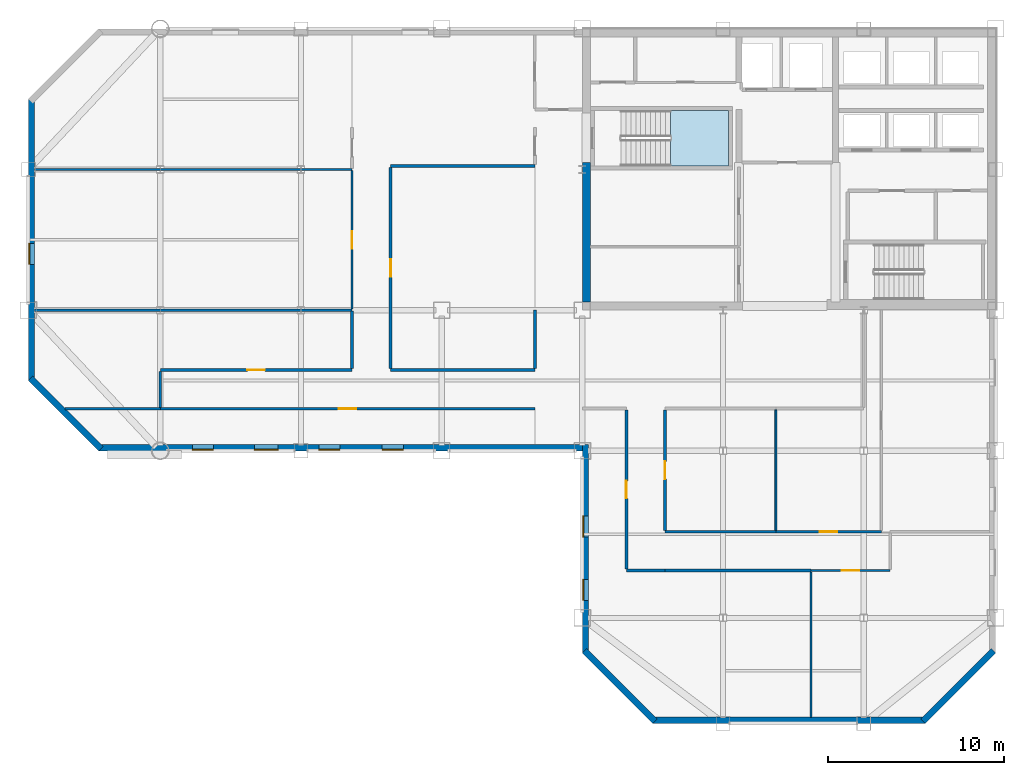
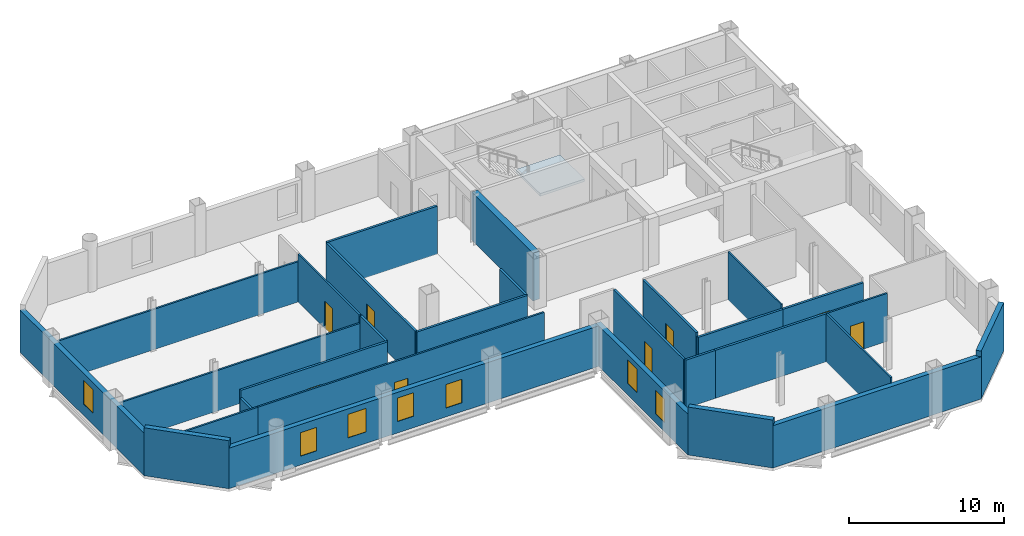
# One storey, part 4 of 10: 29 walls, 8 doors, 7 windows, 1 slab, 15 openings, 1 element without a shape of its own.
"""IFC4 building model written with IfcOpenShell, lengths in metres."""

from ifc_helpers import new_model, si_unit, direction, frame, frame_2d, origin, place, context, subcontext, project, spatial, polyline, rectangle, outline, extrude, material, layer, layer_set, type_object, element, fill, aggregate, save


model = new_model("IFC4")

# Units and contexts
model_context = context("Model", 3, precision=1e-05, world=origin(), true_north=direction((0.0, 1.0)))
body_context = subcontext(model_context, "Body", "Model", "MODEL_VIEW")
ifc_project = project(units=[si_unit("LENGTHUNIT", "METRE"), si_unit("AREAUNIT", "SQUARE_METRE"), si_unit("VOLUMEUNIT", "CUBIC_METRE"), si_unit("PLANEANGLEUNIT", "RADIAN"), si_unit("MASSUNIT", "GRAM", prefix="KILO")], contexts=[model_context])

# Site, building, storey
site_placement = place(None, origin())
site = spatial("IfcSite", under=ifc_project, at=site_placement, CompositionType="ELEMENT")
building_placement = place(site_placement, origin())
building = spatial("IfcBuilding", under=site, at=building_placement, Name="Qianrong Seaharbour Tower", CompositionType="ELEMENT")
storey_placement = place(building_placement, frame((0.0, 0.0, 245.800048828125)))
storey = spatial("IfcBuildingStorey", under=building, at=storey_placement, Name="L59", CompositionType="ELEMENT", Elevation=245.800048828125)

# Stair, slab
ifc_material_1 = material(Name="Concrete C50/60", Category="concrete")
stair_type = type_object("IfcStairType", Name="STAIR-DOGLEG-1500-R22", PredefinedType="HALF_TURN_STAIR", material=ifc_material_1)
stair_placement = place(storey_placement, origin())
stair = element("IfcStair", 1, at=stair_placement, inside=storey, type_object=stair_type, Name="L59 Protected Escape Stair ST-1", PredefinedType="HALF_TURN_STAIR")
ifc_layer_1 = layer(ifc_material_1, 0.199951171875)
ifc_layer_set_1 = layer_set([ifc_layer_1], Name="Concrete C50/60")
slab_type = type_object("IfcSlabType", Name="SLAB-STAIR-LANDING-200", PredefinedType="LANDING", material=ifc_layer_set_1)
slab_placement = place(storey_placement, frame((0.0, 0.0, 1.800048828125)))
slab = element("IfcSlab", 2, at=slab_placement, type_object=slab_type, Name="ST-1 landing 1", PredefinedType="LANDING", context=body_context, shape_type="SweptSolid", body=[
    extrude(outline(polyline([(45.5, 44.199951171875), (48.800048828125, 44.199951171875), (48.800048828125, 47.35009765625), (45.5, 47.35009765625), (45.5, 44.199951171875)])), origin(), (0.0, 0.0, 1.0), 0.199951171875),
])
aggregate(stair, [slab])

# Walls
ifc_material_2 = material(Name="Concrete C60/75", Category="concrete")
ifc_layer_2 = layer(ifc_material_2, 0.4599609375)
ifc_layer_set_2 = layer_set([ifc_layer_2], Name="Concrete C60/75")
wall_type_1 = type_object("IfcWallType", Name="WALL-CORE-460", PredefinedType="SHEAR", material=ifc_layer_set_2)
wall_1_placement = place(storey_placement, frame((40.72998046875, 36.4599609375, 0.0), z_axis=(0.0, 0.0, 1.0), x_axis=(0.0, 1.0, 0.0)))
element("IfcWall", 3, at=wall_1_placement, inside=storey, type_object=wall_type_1, Name="L59 West Core Shear Wall South", PredefinedType="SHEAR", context=body_context, shape_type="SweptSolid", body=[
    extrude(rectangle(XDim=7.93994140625, YDim=0.4599609375, at=frame_2d((3.969970703125, 0.0))), origin(), (0.0, 0.0, 1.0), 3.77490234375),
])
ifc_material_3 = material(Name="Fire-rated acoustic gypsum board partition")
ifc_layer_3 = layer(ifc_material_3, 0.1650390625)
ifc_layer_set_3 = layer_set([ifc_layer_3], Name="Fire-rated acoustic gypsum board partition")
wall_type_2 = type_object("IfcWallType", Name="WALL-CORR-PART-165", PredefinedType="PARTITIONING", material=ifc_layer_set_3)
wall_2_placement = place(storey_placement, frame((29.60009765625, 32.60009765625, 0.0), z_axis=(0.0, 0.0, 1.0), x_axis=(1.0, 0.0, 0.0)))
element("IfcWall", 4, at=wall_2_placement, inside=storey, type_object=wall_type_2, Name="L59 Interior Partition Wall 015", PredefinedType="PARTITIONING", context=body_context, shape_type="SweptSolid", body=[
    extrude(rectangle(XDim=8.199951171875, YDim=0.1650390625, at=frame_2d((4.10009765625, 0.0))), origin(), (0.0, 0.0, 1.0), 3.77490234375),
])
wall_3_placement = place(storey_placement, frame((16.5, 30.45703125, 0.0), z_axis=(0.0, 0.0, 1.0), x_axis=(0.0, 1.0, 0.0)))
element("IfcWall", 5, at=wall_3_placement, inside=storey, type_object=wall_type_2, Name="L59 Interior Partition Wall 016", PredefinedType="PARTITIONING", context=body_context, shape_type="SweptSolid", body=[
    extrude(rectangle(XDim=2.068359375, YDim=0.1650390625, at=frame_2d((1.0341796875, 0.0))), origin(), (0.0, 0.0, 1.0), 3.178955078125),
])

# Wall, opening, door
wall_4_placement = place(storey_placement, frame((16.5, 32.60009765625, 0.0), z_axis=(0.0, 0.0, 1.0), x_axis=(1.0, 0.0, 0.0)))
wall_4 = element("IfcWall", 6, at=wall_4_placement, inside=storey, type_object=wall_type_2, Name="L59 Interior Partition Wall 017", PredefinedType="PARTITIONING", context=body_context, shape_type="SweptSolid", body=[
    extrude(rectangle(XDim=10.89990234375, YDim=0.1650390625, at=frame_2d((5.449951171875, 0.0))), origin(), (0.0, 0.0, 1.0), 3.77490234375),
])
opening_1_placement = place(wall_4_placement, frame((4.949951171875, 0.0, 0.0)))
opening_1 = element("IfcOpeningElement", 7, at=opening_1_placement, cuts=wall_4, Name="Opening DO-01", PredefinedType="OPENING", context=body_context, shape_type="SweptSolid", body=[
    extrude(rectangle(XDim=1.0, YDim=2.14990234375, at=frame_2d((0.5, 1.074951171875))), frame((0.0, 0.092529296875, 0.0), z_axis=(0.0, -1.0, 0.0), x_axis=(1.0, 0.0, 0.0)), (0.0, 0.0, 1.0), 0.18505859375),
])
ifc_material_4 = material(Name="Acoustic timber and galvanized steel fire door assembly", Category="steel")
door_type = type_object("IfcDoorType", Name="DOOR-OFFICE-1000x2150", OperationType="NOTDEFINED", PredefinedType="DOOR", material=ifc_material_4)
door_1_placement = place(opening_1_placement, origin())
door_1 = element("IfcDoor", 8, at=door_1_placement, inside=storey, type_object=door_type, Name="L59 Harbour Sunset Lounge 1 Door", OperationType="SINGLE_SWING_LEFT", OverallHeight=2.14990234375, OverallWidth=1.0, PredefinedType="DOOR", context=body_context, shape_type="SweptSolid", body=[
    extrude(rectangle(XDim=1.0, YDim=2.14990234375, at=frame_2d((0.5, 1.074951171875))), frame((0.0, 0.02490234375, 0.0), z_axis=(0.0, -1.0, 0.0), x_axis=(1.0, 0.0, 0.0)), (0.0, 0.0, 1.0), 0.050048828125),
])
fill(opening_1, door_1)

wall_5_placement = place(storey_placement, frame((29.60009765625, 44.12548828125, 0.0), z_axis=(0.0, 0.0, 1.0), x_axis=(0.0, -1.0, 0.0)))
wall_5 = element("IfcWall", 9, at=wall_5_placement, inside=storey, type_object=wall_type_2, Name="L59 Interior Partition Wall 019", PredefinedType="PARTITIONING", context=body_context, shape_type="SweptSolid", body=[
    extrude(rectangle(XDim=11.450927734375, YDim=0.1650390625, at=frame_2d((5.7255859375, 0.0))), origin(), (0.0, 0.0, 1.0), 3.77490234375),
])
opening_2_placement = place(wall_5_placement, frame((5.2255859375, 0.0, 0.0)))
opening_2 = element("IfcOpeningElement", 10, at=opening_2_placement, cuts=wall_5, Name="Opening DO-01", PredefinedType="OPENING", context=body_context, shape_type="SweptSolid", body=[
    extrude(rectangle(XDim=1.0, YDim=2.14990234375, at=frame_2d((0.5, 1.074951171875))), frame((0.0, 0.092529296875, 0.0), z_axis=(0.0, -1.0, 0.0), x_axis=(1.0, 0.0, 0.0)), (0.0, 0.0, 1.0), 0.18505859375),
])
door_2_placement = place(opening_2_placement, origin())
door_2 = element("IfcDoor", 11, at=door_2_placement, inside=storey, type_object=door_type, Name="L59 East Wing Open-Plan Office Door", OperationType="SINGLE_SWING_RIGHT", OverallHeight=2.14990234375, OverallWidth=1.0, PredefinedType="DOOR", context=body_context, shape_type="SweptSolid", body=[
    extrude(rectangle(XDim=1.0, YDim=2.14990234375, at=frame_2d((0.5, 1.074951171875))), frame((0.0, 0.02490234375, 0.0), z_axis=(0.0, -1.0, 0.0), x_axis=(1.0, 0.0, 0.0)), (0.0, 0.0, 1.0), 0.050048828125),
])
fill(opening_2, door_2)

# Walls
wall_6_placement = place(storey_placement, frame((27.39990234375, 32.674560546875, 0.0), z_axis=(0.0, 0.0, 1.0), x_axis=(0.0, 1.0, 0.0)))
element("IfcWall", 12, at=wall_6_placement, inside=storey, type_object=wall_type_2, Name="L59 Interior Partition Wall 020", PredefinedType="PARTITIONING", context=body_context, shape_type="SweptSolid", body=[
    extrude(rectangle(XDim=3.2685546875, YDim=0.1650390625, at=frame_2d((1.63427734375, 0.0))), origin(), (0.0, 0.0, 1.0), 3.77490234375),
])
wall_7_placement = place(storey_placement, frame((37.800048828125, 44.199951171875, 0.0), z_axis=(0.0, 0.0, 1.0), x_axis=(-1.0, 0.0, 0.0)))
element("IfcWall", 13, at=wall_7_placement, inside=storey, type_object=wall_type_2, Name="L59 Interior Partition Wall 023", PredefinedType="PARTITIONING", context=body_context, shape_type="SweptSolid", body=[
    extrude(rectangle(XDim=8.199951171875, YDim=0.1650390625, at=frame_2d((4.10009765625, 0.0))), origin(), (0.0, 0.0, 1.0), 3.77490234375),
])
wall_8_placement = place(storey_placement, frame((37.800048828125, 32.674560546875, 0.0), z_axis=(0.0, 0.0, 1.0), x_axis=(0.0, 1.0, 0.0)))
element("IfcWall", 14, at=wall_8_placement, inside=storey, type_object=wall_type_2, Name="L59 Interior Partition Wall 024", PredefinedType="PARTITIONING", context=body_context, shape_type="SweptSolid", body=[
    extrude(rectangle(XDim=3.325439453125, YDim=0.1650390625, at=frame_2d((1.66259765625, 0.0))), origin(), (0.0, 0.0, 1.0), 3.77490234375),
])

# Wall, opening, door
wall_9_placement = place(storey_placement, frame((45.199951171875, 30.325439453125, 0.0), z_axis=(0.0, 0.0, 1.0), x_axis=(0.0, -1.0, 0.0)))
wall_9 = element("IfcWall", 15, at=wall_9_placement, inside=storey, type_object=wall_type_2, Name="L59 Interior Partition Wall 029", PredefinedType="PARTITIONING", context=body_context, shape_type="SweptSolid", body=[
    extrude(rectangle(XDim=6.850830078125, YDim=0.1650390625, at=frame_2d((3.42529296875, 0.0))), origin(), (0.0, 0.0, 1.0), 3.77490234375),
])
opening_3_placement = place(wall_9_placement, frame((2.925537109375, 0.0, 0.0)))
opening_3 = element("IfcOpeningElement", 16, at=opening_3_placement, cuts=wall_9, Name="Opening DO-01", PredefinedType="OPENING", context=body_context, shape_type="SweptSolid", body=[
    extrude(rectangle(XDim=1.0, YDim=2.14990234375, at=frame_2d((0.5, 1.074951171875))), frame((0.0, 0.092529296875, 0.0), z_axis=(0.0, -1.0, 0.0), x_axis=(1.0, 0.0, 0.0)), (0.0, 0.0, 1.0), 0.18505859375),
])
door_3_placement = place(opening_3_placement, origin())
door_3 = element("IfcDoor", 17, at=door_3_placement, inside=storey, type_object=door_type, Name="L59 East Harbour Dining Salon 1 Door", OperationType="SINGLE_SWING_RIGHT", OverallHeight=2.14990234375, OverallWidth=1.0, PredefinedType="DOOR", context=body_context, shape_type="SweptSolid", body=[
    extrude(rectangle(XDim=1.0, YDim=2.14990234375, at=frame_2d((0.5, 1.074951171875))), frame((0.0, 0.02490234375, 0.0), z_axis=(0.0, -1.0, 0.0), x_axis=(1.0, 0.0, 0.0)), (0.0, 0.0, 1.0), 0.050048828125),
])
fill(opening_3, door_3)

# Wall
wall_10_placement = place(storey_placement, frame((45.199951171875, 21.199951171875, 0.0), z_axis=(0.0, 0.0, 1.0), x_axis=(-1.0, 0.0, 0.0)))
element("IfcWall", 18, at=wall_10_placement, inside=storey, type_object=wall_type_2, Name="L59 Interior Partition Wall 030", PredefinedType="PARTITIONING", context=body_context, shape_type="SweptSolid", body=[
    extrude(rectangle(XDim=2.199951171875, YDim=0.1650390625, at=frame_2d((1.10009765625, 0.0))), origin(), (0.0, 0.0, 1.0), 3.77490234375),
])

# Wall, opening, door
wall_11_placement = place(storey_placement, frame((43.0, 21.2744140625, 0.0), z_axis=(0.0, 0.0, 1.0), x_axis=(0.0, 1.0, 0.0)))
wall_11 = element("IfcWall", 19, at=wall_11_placement, inside=storey, type_object=wall_type_2, Name="L59 Interior Partition Wall 031", PredefinedType="PARTITIONING", context=body_context, shape_type="SweptSolid", body=[
    extrude(rectangle(XDim=9.051025390625, YDim=0.1650390625, at=frame_2d((4.525390625, 0.0))), origin(), (0.0, 0.0, 1.0), 3.77490234375),
])
opening_4_placement = place(wall_11_placement, frame((4.025390625, 0.0, 0.0)))
opening_4 = element("IfcOpeningElement", 20, at=opening_4_placement, cuts=wall_11, Name="Opening DO-01", PredefinedType="OPENING", context=body_context, shape_type="SweptSolid", body=[
    extrude(rectangle(XDim=1.0, YDim=2.14990234375, at=frame_2d((0.5, 1.074951171875))), frame((0.0, 0.092529296875, 0.0), z_axis=(0.0, -1.0, 0.0), x_axis=(1.0, 0.0, 0.0)), (0.0, 0.0, 1.0), 0.18505859375),
])
door_4_placement = place(opening_4_placement, origin())
door_4 = element("IfcDoor", 21, at=door_4_placement, inside=storey, type_object=door_type, Name="L59 South View Lounge 1 Door", OperationType="SINGLE_SWING_RIGHT", OverallHeight=2.14990234375, OverallWidth=1.0, PredefinedType="DOOR", context=body_context, shape_type="SweptSolid", body=[
    extrude(rectangle(XDim=1.0, YDim=2.14990234375, at=frame_2d((0.5, 1.074951171875))), frame((0.0, 0.02490234375, 0.0), z_axis=(0.0, -1.0, 0.0), x_axis=(1.0, 0.0, 0.0)), (0.0, 0.0, 1.0), 0.050048828125),
])
fill(opening_4, door_4)

# Wall
wall_12_placement = place(storey_placement, frame((45.199951171875, 23.39990234375, 0.0), z_axis=(0.0, 0.0, 1.0), x_axis=(1.0, 0.0, 0.0)))
element("IfcWall", 22, at=wall_12_placement, inside=storey, type_object=wall_type_2, Name="L59 Interior Partition Wall 032", PredefinedType="PARTITIONING", context=body_context, shape_type="SweptSolid", body=[
    extrude(rectangle(XDim=6.300048828125, YDim=0.1650390625, at=frame_2d((3.14990234375, 0.0))), origin(), (0.0, 0.0, 1.0), 3.467041015625),
])

# Wall, opening, door
wall_13_placement = place(storey_placement, frame((51.5, 23.39990234375, 0.0), z_axis=(0.0, 0.0, 1.0), x_axis=(1.0, 0.0, 0.0)))
wall_13 = element("IfcWall", 23, at=wall_13_placement, inside=storey, type_object=wall_type_2, Name="L59 Interior Partition Wall 033", PredefinedType="PARTITIONING", context=body_context, shape_type="SweptSolid", body=[
    extrude(rectangle(XDim=6.0, YDim=0.1650390625, at=frame_2d((3.0, 0.0))), origin(), (0.0, 0.0, 1.0), 3.467041015625),
])
opening_5_placement = place(wall_13_placement, frame((2.5, 0.0, 0.0)))
opening_5 = element("IfcOpeningElement", 24, at=opening_5_placement, cuts=wall_13, Name="Opening DO-01", PredefinedType="OPENING", context=body_context, shape_type="SweptSolid", body=[
    extrude(rectangle(XDim=1.0, YDim=2.14990234375, at=frame_2d((0.5, 1.074951171875))), frame((0.0, 0.092529296875, 0.0), z_axis=(0.0, -1.0, 0.0), x_axis=(1.0, 0.0, 0.0)), (0.0, 0.0, 1.0), 0.18505859375),
])
door_5_placement = place(opening_5_placement, origin())
door_5 = element("IfcDoor", 25, at=door_5_placement, inside=storey, type_object=door_type, Name="L59 Catering Servery Kitchen 2 Door", OperationType="SINGLE_SWING_LEFT", OverallHeight=2.14990234375, OverallWidth=1.0, PredefinedType="DOOR", context=body_context, shape_type="SweptSolid", body=[
    extrude(rectangle(XDim=1.0, YDim=2.14990234375, at=frame_2d((0.5, 1.074951171875))), frame((0.0, 0.02490234375, 0.0), z_axis=(0.0, -1.0, 0.0), x_axis=(1.0, 0.0, 0.0)), (0.0, 0.0, 1.0), 0.050048828125),
])
fill(opening_5, door_5)

# Walls
wall_14_placement = place(storey_placement, frame((53.5, 21.199951171875, 0.0), z_axis=(0.0, 0.0, 1.0), x_axis=(-1.0, 0.0, 0.0)))
element("IfcWall", 26, at=wall_14_placement, inside=storey, type_object=wall_type_2, Name="L59 Interior Partition Wall 034", PredefinedType="PARTITIONING", context=body_context, shape_type="SweptSolid", body=[
    extrude(rectangle(XDim=8.300048828125, YDim=0.1650390625, at=frame_2d((4.14990234375, 0.0))), origin(), (0.0, 0.0, 1.0), 3.77490234375),
])
ifc_material_5 = material(Name="Demountable aluminium-framed acoustic office partition", Category="aluminium")
ifc_layer_4 = layer(ifc_material_5, 0.110107421875)
ifc_layer_set_4 = layer_set([ifc_layer_4], Name="Demountable aluminium-framed acoustic office partition")
wall_type_3 = type_object("IfcWallType", Name="WALL-DEMOUNT-110", PredefinedType="MOVABLE", material=ifc_layer_set_4)
wall_15_placement = place(storey_placement, frame((51.5, 30.325439453125, 0.0), z_axis=(0.0, 0.0, 1.0), x_axis=(0.0, -1.0, 0.0)))
element("IfcWall", 27, at=wall_15_placement, inside=storey, type_object=wall_type_3, Name="L59 Interior Partition Wall 040", PredefinedType="MOVABLE", context=body_context, shape_type="SweptSolid", body=[
    extrude(rectangle(XDim=6.850830078125, YDim=0.110107421875, at=frame_2d((3.42529296875, 0.0))), origin(), (0.0, 0.0, 1.0), 3.77490234375),
])

# Wall, openings, windows
ifc_material_6 = material(Name="Unitised red brick on Precast concrete C45/55", Category="masonry")
ifc_layer_5 = layer(ifc_material_6, 0.360107421875)
ifc_layer_set_5 = layer_set([ifc_layer_5], Name="Unitised red brick on Precast concrete C45/55")
wall_type_4 = type_object("IfcWallType", Name="WALL-EXT-BRICK-RED-360", PredefinedType="SOLIDWALL", material=ifc_layer_set_5)
wall_16_placement = place(storey_placement, frame((40.679931640625, 16.5, 0.0), z_axis=(0.0, 0.0, 1.0), x_axis=(0.0, 1.0, 0.0)))
wall_16 = element("IfcWall", 28, at=wall_16_placement, inside=storey, type_object=wall_type_4, Name="L59 Exterior Masonry Facade Wall REENTRANT_WEST", PredefinedType="SOLIDWALL", context=body_context, shape_type="SweptSolid", body=[
    extrude(rectangle(XDim=11.860107421875, YDim=0.360107421875, at=frame_2d((5.93017578125, 0.0))), origin(), (0.0, 0.0, 1.0), 3.18701171875),
])
opening_6_placement = place(wall_16_placement, frame((3.0, 0.0, 0.699951171875)))
opening_6 = element("IfcOpeningElement", 29, at=opening_6_placement, cuts=wall_16, Name="Opening WN-01", PredefinedType="OPENING", context=body_context, shape_type="SweptSolid", body=[
    extrude(rectangle(XDim=1.199951171875, YDim=1.85009765625, at=frame_2d((0.60009765625, 0.925048828125))), frame((0.0, 0.18994140625, 0.0), z_axis=(0.0, -1.0, 0.0), x_axis=(1.0, 0.0, 0.0)), (0.0, 0.0, 1.0), 0.380126953125),
])
opening_7_placement = place(wall_16_placement, frame((6.60009765625, 0.0, 0.89990234375)))
opening_7 = element("IfcOpeningElement", 30, at=opening_7_placement, cuts=wall_16, Name="Opening WN-01", PredefinedType="OPENING", context=body_context, shape_type="SweptSolid", body=[
    extrude(rectangle(XDim=1.199951171875, YDim=1.85009765625, at=frame_2d((0.60009765625, 0.925048828125))), frame((0.0, 0.18994140625, 0.0), z_axis=(0.0, -1.0, 0.0), x_axis=(1.0, 0.0, 0.0)), (0.0, 0.0, 1.0), 0.380126953125),
])
ifc_material_7 = material(Name="Insulated low-e double glazing in thermally broken aluminium 6063-T6 frame", Category="aluminium")
window_type_1 = type_object("IfcWindowType", Name="WIN-PUNCH-1200x1850", PartitioningType="DOUBLE_PANEL_VERTICAL", PredefinedType="WINDOW", material=ifc_material_7)
window_1_placement = place(opening_6_placement, origin())
window_1 = element("IfcWindow", 31, at=window_1_placement, inside=storey, type_object=window_type_1, Name="L59 Deep-Set Punched Window 00.01", OverallHeight=1.85009765625, OverallWidth=1.199951171875, PartitioningType="DOUBLE_PANEL_VERTICAL", PredefinedType="WINDOW", context=body_context, shape_type="SweptSolid", body=[
    extrude(rectangle(XDim=1.199951171875, YDim=1.85009765625, at=frame_2d((0.60009765625, 0.925048828125))), frame((0.0, 0.150146484375, 0.0), z_axis=(0.0, -1.0, 0.0), x_axis=(1.0, 0.0, 0.0)), (0.0, 0.0, 1.0), 0.06005859375),
])
fill(opening_6, window_1)
window_2_placement = place(opening_7_placement, origin())
window_2 = element("IfcWindow", 32, at=window_2_placement, inside=storey, type_object=window_type_1, Name="L59 Deep-Set Punched Window 00.02", OverallHeight=1.85009765625, OverallWidth=1.199951171875, PartitioningType="DOUBLE_PANEL_VERTICAL", PredefinedType="WINDOW", context=body_context, shape_type="SweptSolid", body=[
    extrude(rectangle(XDim=1.199951171875, YDim=1.85009765625, at=frame_2d((0.60009765625, 0.925048828125))), frame((0.0, 0.150146484375, 0.0), z_axis=(0.0, -1.0, 0.0), x_axis=(1.0, 0.0, 0.0)), (0.0, 0.0, 1.0), 0.06005859375),
])
fill(opening_7, window_2)

wall_17_placement = place(storey_placement, frame((40.52001953125, 28.179931640625, 0.0), z_axis=(0.0, 0.0, 1.0), x_axis=(-1.0, 0.0, 0.0)))
wall_17 = element("IfcWall", 33, at=wall_17_placement, inside=storey, type_object=wall_type_4, Name="L59 Exterior Masonry Facade Wall HARBOUR_RIBBON", PredefinedType="SOLIDWALL", context=body_context, shape_type="SweptSolid", body=[
    extrude(rectangle(XDim=27.52001953125, YDim=0.360107421875, at=frame_2d((13.760009765625, 0.0))), origin(), (0.0, 0.0, 1.0), 3.18701171875),
])
opening_8_placement = place(wall_17_placement, frame((10.199951171875, 0.0, 0.699951171875)))
opening_8 = element("IfcOpeningElement", 34, at=opening_8_placement, cuts=wall_17, Name="Opening WN-01", PredefinedType="OPENING", context=body_context, shape_type="SweptSolid", body=[
    extrude(rectangle(XDim=1.199951171875, YDim=1.85009765625, at=frame_2d((0.60009765625, 0.925048828125))), frame((0.0, 0.18994140625, 0.0), z_axis=(0.0, -1.0, 0.0), x_axis=(1.0, 0.0, 0.0)), (0.0, 0.0, 1.0), 0.380126953125),
])
opening_9_placement = place(wall_17_placement, frame((13.800048828125, 0.0, 0.89990234375)))
opening_9 = element("IfcOpeningElement", 35, at=opening_9_placement, cuts=wall_17, Name="Opening WN-01", PredefinedType="OPENING", context=body_context, shape_type="SweptSolid", body=[
    extrude(rectangle(XDim=1.199951171875, YDim=1.85009765625, at=frame_2d((0.60009765625, 0.925048828125))), frame((0.0, 0.18994140625, 0.0), z_axis=(0.0, -1.0, 0.0), x_axis=(1.0, 0.0, 0.0)), (0.0, 0.0, 1.0), 0.380126953125),
])
opening_10_placement = place(wall_17_placement, frame((17.324951171875, 0.0, 0.89990234375)))
opening_10 = element("IfcOpeningElement", 36, at=opening_10_placement, cuts=wall_17, Name="Opening WN-02", PredefinedType="OPENING", context=body_context, shape_type="SweptSolid", body=[
    extrude(rectangle(XDim=1.35009765625, YDim=1.85009765625, at=frame_2d((0.675048828125, 0.925048828125))), frame((0.0, 0.18994140625, 0.0), z_axis=(0.0, -1.0, 0.0), x_axis=(1.0, 0.0, 0.0)), (0.0, 0.0, 1.0), 0.380126953125),
])
opening_11_placement = place(wall_17_placement, frame((21.0, 0.0, 0.699951171875)))
opening_11 = element("IfcOpeningElement", 37, at=opening_11_placement, cuts=wall_17, Name="Opening WN-01", PredefinedType="OPENING", context=body_context, shape_type="SweptSolid", body=[
    extrude(rectangle(XDim=1.199951171875, YDim=1.85009765625, at=frame_2d((0.60009765625, 0.925048828125))), frame((0.0, 0.18994140625, 0.0), z_axis=(0.0, -1.0, 0.0), x_axis=(1.0, 0.0, 0.0)), (0.0, 0.0, 1.0), 0.380126953125),
])
window_3_placement = place(opening_8_placement, origin())
window_3 = element("IfcWindow", 38, at=window_3_placement, inside=storey, type_object=window_type_1, Name="L59 Deep-Set Punched Window 01.03", OverallHeight=1.85009765625, OverallWidth=1.199951171875, PartitioningType="DOUBLE_PANEL_VERTICAL", PredefinedType="WINDOW", context=body_context, shape_type="SweptSolid", body=[
    extrude(rectangle(XDim=1.199951171875, YDim=1.85009765625, at=frame_2d((0.60009765625, 0.925048828125))), frame((0.0, 0.150146484375, 0.0), z_axis=(0.0, -1.0, 0.0), x_axis=(1.0, 0.0, 0.0)), (0.0, 0.0, 1.0), 0.06005859375),
])
fill(opening_8, window_3)
window_4_placement = place(opening_9_placement, origin())
window_4 = element("IfcWindow", 39, at=window_4_placement, inside=storey, type_object=window_type_1, Name="L59 Deep-Set Punched Window 01.04", OverallHeight=1.85009765625, OverallWidth=1.199951171875, PartitioningType="DOUBLE_PANEL_VERTICAL", PredefinedType="WINDOW", context=body_context, shape_type="SweptSolid", body=[
    extrude(rectangle(XDim=1.199951171875, YDim=1.85009765625, at=frame_2d((0.60009765625, 0.925048828125))), frame((0.0, 0.150146484375, 0.0), z_axis=(0.0, -1.0, 0.0), x_axis=(1.0, 0.0, 0.0)), (0.0, 0.0, 1.0), 0.06005859375),
])
fill(opening_9, window_4)
window_5_placement = place(opening_11_placement, origin())
window_5 = element("IfcWindow", 40, at=window_5_placement, inside=storey, type_object=window_type_1, Name="L59 Deep-Set Punched Window 01.06", OverallHeight=1.85009765625, OverallWidth=1.199951171875, PartitioningType="DOUBLE_PANEL_VERTICAL", PredefinedType="WINDOW", context=body_context, shape_type="SweptSolid", body=[
    extrude(rectangle(XDim=1.199951171875, YDim=1.85009765625, at=frame_2d((0.60009765625, 0.925048828125))), frame((0.0, 0.150146484375, 0.0), z_axis=(0.0, -1.0, 0.0), x_axis=(1.0, 0.0, 0.0)), (0.0, 0.0, 1.0), 0.06005859375),
])
fill(opening_11, window_5)
window_type_2 = type_object("IfcWindowType", Name="WIN-PUNCH-1350x1850", PartitioningType="DOUBLE_PANEL_VERTICAL", PredefinedType="WINDOW", material=ifc_material_7)
window_6_placement = place(opening_10_placement, origin())
window_6 = element("IfcWindow", 41, at=window_6_placement, inside=storey, type_object=window_type_2, Name="L59 Deep-Set Punched Window 01.05", OverallHeight=1.85009765625, OverallWidth=1.35009765625, PartitioningType="DOUBLE_PANEL_VERTICAL", PredefinedType="WINDOW", context=body_context, shape_type="SweptSolid", body=[
    extrude(rectangle(XDim=1.35009765625, YDim=1.85009765625, at=frame_2d((0.675048828125, 0.925048828125))), frame((0.0, 0.150146484375, 0.0), z_axis=(0.0, -1.0, 0.0), x_axis=(1.0, 0.0, 0.0)), (0.0, 0.0, 1.0), 0.06005859375),
])
fill(opening_10, window_6)

# Wall
wall_18_placement = place(storey_placement, frame((13.127197265625, 28.127197265625, 0.0), z_axis=(0.0, 0.0, 1.0), x_axis=(-0.707106781187, 0.707106781187, 0.0)))
element("IfcWall", 42, at=wall_18_placement, inside=storey, type_object=wall_type_4, Name="L59 Exterior Masonry Facade Wall E02", PredefinedType="SOLIDWALL", context=body_context, shape_type="SweptSolid", body=[
    extrude(rectangle(XDim=5.65673828125, YDim=0.360107421875, at=frame_2d((2.828369140625, 0.0))), origin(), (0.0, 0.0, 1.0), 3.77490234375),
])

# Wall, opening, window
wall_19_placement = place(storey_placement, frame((9.179931640625, 32.0, 0.0), z_axis=(0.0, 0.0, 1.0), x_axis=(0.0, 1.0, 0.0)))
wall_19 = element("IfcWall", 43, at=wall_19_placement, inside=storey, type_object=wall_type_4, Name="L59 Exterior Masonry Facade Wall WEST_TIP", PredefinedType="SOLIDWALL", context=body_context, shape_type="SweptSolid", body=[
    extrude(rectangle(XDim=16.0, YDim=0.360107421875, at=frame_2d((8.0, 0.0))), origin(), (0.0, 0.0, 1.0), 3.324951171875),
])
opening_12_placement = place(wall_19_placement, frame((6.60009765625, 0.0, 0.89990234375)))
opening_12 = element("IfcOpeningElement", 44, at=opening_12_placement, cuts=wall_19, Name="Opening WN-01", PredefinedType="OPENING", context=body_context, shape_type="SweptSolid", body=[
    extrude(rectangle(XDim=1.199951171875, YDim=1.85009765625, at=frame_2d((0.60009765625, 0.925048828125))), frame((0.0, 0.18994140625, 0.0), z_axis=(0.0, -1.0, 0.0), x_axis=(1.0, 0.0, 0.0)), (0.0, 0.0, 1.0), 0.380126953125),
])
window_7_placement = place(opening_12_placement, origin())
window_7 = element("IfcWindow", 45, at=window_7_placement, inside=storey, type_object=window_type_1, Name="L59 Deep-Set Punched Window 03.02", OverallHeight=1.85009765625, OverallWidth=1.199951171875, PartitioningType="DOUBLE_PANEL_VERTICAL", PredefinedType="WINDOW", context=body_context, shape_type="SweptSolid", body=[
    extrude(rectangle(XDim=1.199951171875, YDim=1.85009765625, at=frame_2d((0.60009765625, 0.925048828125))), frame((0.0, 0.150146484375, 0.0), z_axis=(0.0, -1.0, 0.0), x_axis=(1.0, 0.0, 0.0)), (0.0, 0.0, 1.0), 0.06005859375),
])
fill(opening_12, window_7)

# Walls
wall_20_placement = place(storey_placement, frame((63.872802734375, 16.627197265625, 0.0), z_axis=(0.0, 0.0, 1.0), x_axis=(-0.707106781187, -0.707106781187, 0.0)))
element("IfcWall", 46, at=wall_20_placement, inside=storey, type_object=wall_type_4, Name="L59 Exterior Masonry Facade Wall E07", PredefinedType="SOLIDWALL", context=body_context, shape_type="SweptSolid", body=[
    extrude(rectangle(XDim=5.65673828125, YDim=0.360107421875, at=frame_2d((2.828369140625, 0.0))), origin(), (0.0, 0.0, 1.0), 3.77490234375),
])
wall_21_placement = place(storey_placement, frame((60.0, 12.679931640625, 0.0), z_axis=(0.0, 0.0, 1.0), x_axis=(-1.0, 0.0, 0.0)))
element("IfcWall", 47, at=wall_21_placement, inside=storey, type_object=wall_type_4, Name="L59 Exterior Masonry Facade Wall SOUTH_TIP", PredefinedType="SOLIDWALL", context=body_context, shape_type="SweptSolid", body=[
    extrude(rectangle(XDim=15.5, YDim=0.360107421875, at=frame_2d((7.75, 0.0))), origin(), (0.0, 0.0, 1.0), 3.324951171875),
])
wall_22_placement = place(storey_placement, frame((44.627197265625, 12.627197265625, 0.0), z_axis=(0.0, 0.0, 1.0), x_axis=(-0.707106781187, 0.707106781187, 0.0)))
element("IfcWall", 48, at=wall_22_placement, inside=storey, type_object=wall_type_4, Name="L59 Exterior Masonry Facade Wall E09", PredefinedType="SOLIDWALL", context=body_context, shape_type="SweptSolid", body=[
    extrude(rectangle(XDim=5.65673828125, YDim=0.360107421875, at=frame_2d((2.828369140625, 0.0))), origin(), (0.0, 0.0, 1.0), 3.77490234375),
])

# Wall, opening, door
ifc_material_8 = material(Name="Water-resistant cement board sanitary partition")
ifc_layer_6 = layer(ifc_material_8, 0.1298828125)
ifc_layer_set_6 = layer_set([ifc_layer_6], Name="Water-resistant cement board sanitary partition")
wall_type_5 = type_object("IfcWallType", Name="WALL-WET-PART-130", PredefinedType="PARTITIONING", material=ifc_layer_set_6)
wall_23_placement = place(storey_placement, frame((37.800048828125, 30.39990234375, 0.0), z_axis=(0.0, 0.0, 1.0), x_axis=(-1.0, 0.0, 0.0)))
wall_23 = element("IfcWall", 49, at=wall_23_placement, inside=storey, type_object=wall_type_5, Name="L59 Interior Partition Wall 018", PredefinedType="PARTITIONING", context=body_context, shape_type="SweptSolid", body=[
    extrude(rectangle(XDim=21.300048828125, YDim=0.1298828125, at=frame_2d((10.64990234375, 0.0))), origin(), (0.0, 0.0, 1.0), 3.77490234375),
])
opening_13_placement = place(wall_23_placement, frame((10.14990234375, 0.0, 0.0)))
opening_13 = element("IfcOpeningElement", 50, at=opening_13_placement, cuts=wall_23, Name="Opening DO-01", PredefinedType="OPENING", context=body_context, shape_type="SweptSolid", body=[
    extrude(rectangle(XDim=1.0, YDim=2.14990234375, at=frame_2d((0.5, 1.074951171875))), frame((0.0, 0.074951171875, 0.0), z_axis=(0.0, -1.0, 0.0), x_axis=(1.0, 0.0, 0.0)), (0.0, 0.0, 1.0), 0.14990234375),
])
door_6_placement = place(opening_13_placement, origin())
door_6 = element("IfcDoor", 51, at=door_6_placement, inside=storey, type_object=door_type, Name="L59 Wet Pantry 1 Door", OperationType="SINGLE_SWING_LEFT", OverallHeight=2.14990234375, OverallWidth=1.0, PredefinedType="DOOR", context=body_context, shape_type="SweptSolid", body=[
    extrude(rectangle(XDim=1.0, YDim=2.14990234375, at=frame_2d((0.5, 1.074951171875))), frame((0.0, 0.02490234375, 0.0), z_axis=(0.0, -1.0, 0.0), x_axis=(1.0, 0.0, 0.0)), (0.0, 0.0, 1.0), 0.050048828125),
])
fill(opening_13, door_6)

wall_24_placement = place(storey_placement, frame((27.39990234375, 36.056884765625, 0.0), z_axis=(0.0, 0.0, 1.0), x_axis=(0.0, 1.0, 0.0)))
wall_24 = element("IfcWall", 52, at=wall_24_placement, inside=storey, type_object=wall_type_5, Name="L59 Interior Partition Wall 021", PredefinedType="PARTITIONING", context=body_context, shape_type="SweptSolid", body=[
    extrude(rectangle(XDim=7.88623046875, YDim=0.1298828125, at=frame_2d((3.943115234375, 0.0))), origin(), (0.0, 0.0, 1.0), 3.77490234375),
])
opening_14_placement = place(wall_24_placement, frame((3.443115234375, 0.0, 0.0)))
opening_14 = element("IfcOpeningElement", 53, at=opening_14_placement, cuts=wall_24, Name="Opening DO-01", PredefinedType="OPENING", context=body_context, shape_type="SweptSolid", body=[
    extrude(rectangle(XDim=1.0, YDim=2.14990234375, at=frame_2d((0.5, 1.074951171875))), frame((0.0, 0.074951171875, 0.0), z_axis=(0.0, -1.0, 0.0), x_axis=(1.0, 0.0, 0.0)), (0.0, 0.0, 1.0), 0.14990234375),
])
door_7_placement = place(opening_14_placement, origin())
door_7 = element("IfcDoor", 54, at=door_7_placement, inside=storey, type_object=door_type, Name="L59 Barista Coffee Pantry 2 Door", OperationType="SINGLE_SWING_RIGHT", OverallHeight=2.14990234375, OverallWidth=1.0, PredefinedType="DOOR", context=body_context, shape_type="SweptSolid", body=[
    extrude(rectangle(XDim=1.0, YDim=2.14990234375, at=frame_2d((0.5, 1.074951171875))), frame((0.0, 0.02490234375, 0.0), z_axis=(0.0, -1.0, 0.0), x_axis=(1.0, 0.0, 0.0)), (0.0, 0.0, 1.0), 0.050048828125),
])
fill(opening_14, door_7)

wall_25_placement = place(storey_placement, frame((58.0, 21.199951171875, 0.0), z_axis=(0.0, 0.0, 1.0), x_axis=(-1.0, 0.0, 0.0)))
wall_25 = element("IfcWall", 55, at=wall_25_placement, inside=storey, type_object=wall_type_5, Name="L59 Interior Partition Wall 036", PredefinedType="PARTITIONING", context=body_context, shape_type="SweptSolid", body=[
    extrude(rectangle(XDim=4.5, YDim=0.1298828125, at=frame_2d((2.25, 0.0))), origin(), (0.0, 0.0, 1.0), 3.77490234375),
])
opening_15_placement = place(wall_25_placement, frame((1.75, 0.0, 0.0)))
opening_15 = element("IfcOpeningElement", 56, at=opening_15_placement, cuts=wall_25, Name="Opening DO-01", PredefinedType="OPENING", context=body_context, shape_type="SweptSolid", body=[
    extrude(rectangle(XDim=1.0, YDim=2.14990234375, at=frame_2d((0.5, 1.074951171875))), frame((0.0, 0.074951171875, 0.0), z_axis=(0.0, -1.0, 0.0), x_axis=(1.0, 0.0, 0.0)), (0.0, 0.0, 1.0), 0.14990234375),
])
door_8_placement = place(opening_15_placement, origin())
door_8 = element("IfcDoor", 57, at=door_8_placement, inside=storey, type_object=door_type, Name="L59 Tea Servery Pantry 2 Door", OperationType="SINGLE_SWING_LEFT", OverallHeight=2.14990234375, OverallWidth=1.0, PredefinedType="DOOR", context=body_context, shape_type="SweptSolid", body=[
    extrude(rectangle(XDim=1.0, YDim=2.14990234375, at=frame_2d((0.5, 1.074951171875))), frame((0.0, 0.02490234375, 0.0), z_axis=(0.0, -1.0, 0.0), x_axis=(1.0, 0.0, 0.0)), (0.0, 0.0, 1.0), 0.050048828125),
])
fill(opening_15, door_8)

# Walls
wall_26_placement = place(storey_placement, frame((9.35205078125, 36.0, 0.0), z_axis=(0.0, 0.0, 1.0), x_axis=(1.0, 0.0, 0.0)))
element("IfcWall", 58, at=wall_26_placement, inside=storey, type_object=wall_type_5, Name="L59 Interior Partition Wall 037", PredefinedType="PARTITIONING", context=body_context, shape_type="SweptSolid", body=[
    extrude(rectangle(XDim=18.0478515625, YDim=0.1298828125, at=frame_2d((9.02392578125, 0.0))), origin(), (0.0, 0.0, 1.0), 3.178955078125),
])
wall_27_placement = place(storey_placement, frame((16.5, 30.39990234375, 0.0), z_axis=(0.0, 0.0, 1.0), x_axis=(-1.0, 0.0, 0.0)))
element("IfcWall", 59, at=wall_27_placement, inside=storey, type_object=wall_type_5, Name="L59 Interior Partition Wall 038", PredefinedType="PARTITIONING", context=body_context, shape_type="SweptSolid", body=[
    extrude(rectangle(XDim=5.402099609375, YDim=0.1298828125, at=frame_2d((2.701171875, 0.0))), origin(), (0.0, 0.0, 1.0), 3.77490234375),
])
wall_28_placement = place(storey_placement, frame((9.35205078125, 44.0, 0.0), z_axis=(0.0, 0.0, 1.0), x_axis=(1.0, 0.0, 0.0)))
element("IfcWall", 60, at=wall_28_placement, inside=storey, type_object=wall_type_5, Name="L59 Interior Partition Wall 039", PredefinedType="PARTITIONING", context=body_context, shape_type="SweptSolid", body=[
    extrude(rectangle(XDim=18.0478515625, YDim=0.1298828125, at=frame_2d((9.02392578125, 0.0))), origin(), (0.0, 0.0, 1.0), 3.178955078125),
])
wall_29_placement = place(storey_placement, frame((53.5, 21.12548828125, 0.0), z_axis=(0.0, 0.0, 1.0), x_axis=(0.0, -1.0, 0.0)))
element("IfcWall", 61, at=wall_29_placement, inside=storey, type_object=wall_type_5, Name="L59 Interior Partition Wall 043", PredefinedType="PARTITIONING", context=body_context, shape_type="SweptSolid", body=[
    extrude(rectangle(XDim=8.2734375, YDim=0.1298828125, at=frame_2d((4.13671875, 0.0))), origin(), (0.0, 0.0, 1.0), 3.77490234375),
])

save(model, "model.ifc")
